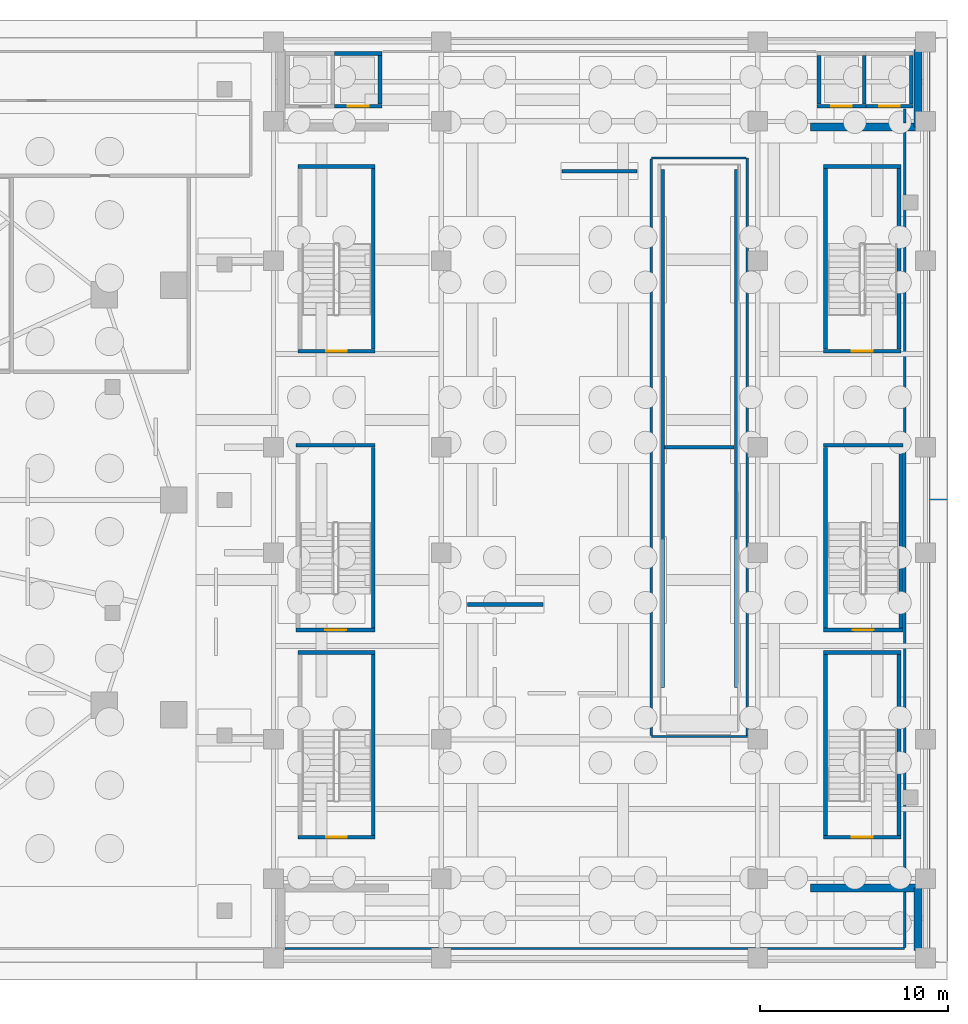
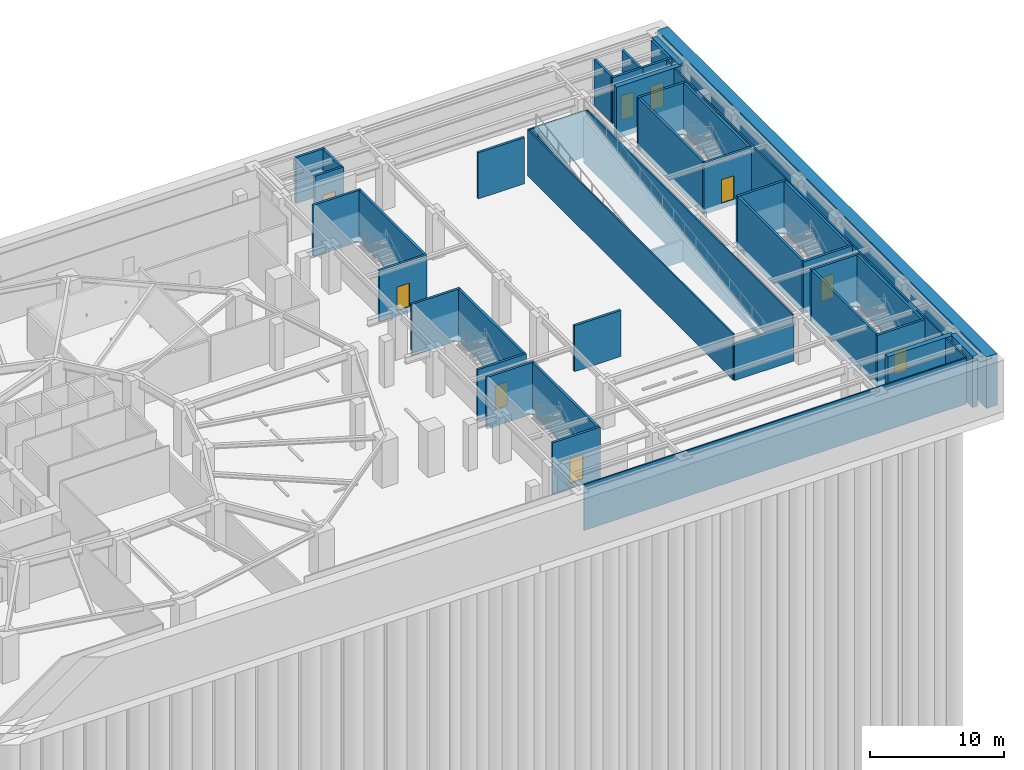
# One storey, part 11 of 19: 47 walls, 9 doors, 9 openings.
"""IFC4 building model written with IfcOpenShell, lengths in metres."""

import ifcopenshell
import ifcopenshell.guid

model = None  # the IFC model being written
_history = None  # IfcOwnerHistory: only IFC2X3 demands one
_inside = {}  # id of a spatial element -> (the spatial element, [elements in it])
_under = {}  # id of a project, library or spatial element -> (it, [spatial elements below it])
_declared = {}  # id of a project -> (the project, [libraries it declares])
_typed = {}  # id of a type object -> (the type object, [elements of that type])
_made_of = {}  # id of a material, layer set ... -> (it, [elements and type objects made of it])


def new_model(schema):
    """Start an empty IFC model of exactly this schema.

    Asked for "IFC4X3", IfcOpenShell would pick the latest addendum, in which some entities
    have other attributes; the version numbers below select the first issue.
    IFC2X3 requires an IfcOwnerHistory on every rooted entity: one is made here for all.
    """
    global model, _history
    if schema == "IFC4X3":
        model = ifcopenshell.file(schema_version=(4, 3, 0, 0))
    else:
        model = ifcopenshell.file(schema=schema)
    _inside.clear()
    _under.clear()
    _declared.clear()
    _typed.clear()
    _made_of.clear()
    _history = None
    if model.schema == "IFC2X3":
        org = make("IfcOrganization", Name="unknown")
        user = make(
            "IfcPersonAndOrganization",
            ThePerson=make("IfcPerson", FamilyName="unknown"),
            TheOrganization=org,
        )
        app = make(
            "IfcApplication",
            ApplicationDeveloper=org,
            Version="unknown",
            ApplicationFullName="unknown",
            ApplicationIdentifier="unknown",
        )
        _history = make(
            "IfcOwnerHistory",
            OwningUser=user,
            OwningApplication=app,
            ChangeAction="ADDED",
            CreationDate=0,
        )
    return model


def make(cls, **values):
    """One entity of the class cls with the attributes given. An attribute that is None is left unset."""
    return model.create_entity(
        cls, **{name: value for name, value in values.items() if value is not None}
    )


def rooted(cls, **values):
    """An entity with a GlobalId (a new one), such as an element, a storey or a relation."""
    return make(cls, GlobalId=ifcopenshell.guid.new(), OwnerHistory=_history, **values)


def si_unit(unit_type, name, prefix=None):
    """IfcSIUnit, for example si_unit("LENGTHUNIT", "METRE", prefix="MILLI")."""
    return make("IfcSIUnit", UnitType=unit_type, Prefix=prefix, Name=name)


def assignment(units):
    """IfcUnitAssignment: the units of a project."""
    return None if units is None else make("IfcUnitAssignment", Units=units)


def point(xyz):
    """IfcCartesianPoint."""
    return None if xyz is None else make("IfcCartesianPoint", Coordinates=xyz)


def direction(xyz):
    """IfcDirection."""
    return None if xyz is None else make("IfcDirection", DirectionRatios=xyz)


def frame(location, z_axis=None, x_axis=None):
    """IfcAxis2Placement3D, a coordinate frame: its origin and axes. An axis left out is left unset."""
    return make(
        "IfcAxis2Placement3D",
        Location=point(location),
        Axis=direction(z_axis),
        RefDirection=direction(x_axis),
    )


def frame_2d(location, x_axis=None):
    """IfcAxis2Placement2D, a coordinate frame in the plane: its origin and x axis."""
    return make(
        "IfcAxis2Placement2D", Location=point(location), RefDirection=direction(x_axis)
    )


def origin():
    """The frame at (0, 0, 0) with its axes left unset."""
    return frame((0.0, 0.0, 0.0))


def place(relative_to, where):
    """IfcLocalPlacement: puts the frame where relative to a parent placement (None: the world)."""
    return make(
        "IfcLocalPlacement", PlacementRelTo=relative_to, RelativePlacement=where
    )


def context(
    kind, dimensions, precision=None, world=None, true_north=None, identifier=None
):
    """IfcGeometricRepresentationContext, for example the 3D "Model" context."""
    return make(
        "IfcGeometricRepresentationContext",
        ContextIdentifier=identifier,
        ContextType=kind,
        CoordinateSpaceDimension=dimensions,
        Precision=precision,
        WorldCoordinateSystem=world,
        TrueNorth=true_north,
    )


def subcontext(parent, identifier, kind, view, scale=None):
    """IfcGeometricRepresentationSubContext, for example "Body" below "Model"."""
    return make(
        "IfcGeometricRepresentationSubContext",
        ContextIdentifier=identifier,
        ContextType=kind,
        ParentContext=parent,
        TargetScale=scale,
        TargetView=view,
    )


def project(units=None, contexts=None):
    """IfcProject with its units and contexts."""
    return rooted(
        "IfcProject",
        Name="project",
        RepresentationContexts=contexts,
        UnitsInContext=assignment(units),
    )


def spatial(cls, under=None, at=None, **own):
    """A site, building, storey or space (cls), placed at a placement, below another one or the project."""
    s = rooted(cls, ObjectPlacement=at, **own)
    if under is not None:
        _under.setdefault(under.id(), (under, []))[1].append(s)
    return s


def polyline(points):
    """IfcPolyline through the points."""
    return make("IfcPolyline", Points=[point(p) for p in points])


def profile(cls, at=None, kind="AREA", **sizes):
    """A parametric profile (cls). Its sizes go by their IFC names, for example OverallWidth=200.0."""
    return make(cls, ProfileType=kind, Position=at, **sizes)


def rectangle(**sizes):
    """IfcRectangleProfileDef."""
    return profile("IfcRectangleProfileDef", **sizes)


def outline(outer, holes=None, kind="AREA"):
    """IfcArbitraryClosedProfileDef: a profile drawn as a closed curve; with holes, ...WithVoids."""
    if holes is None:
        return make("IfcArbitraryClosedProfileDef", ProfileType=kind, OuterCurve=outer)
    return make(
        "IfcArbitraryProfileDefWithVoids",
        ProfileType=kind,
        OuterCurve=outer,
        InnerCurves=holes,
    )


def extrude(swept, where, along, depth):
    """IfcExtrudedAreaSolid: the profile swept, set in the frame where, extruded along a direction by depth."""
    return make(
        "IfcExtrudedAreaSolid",
        SweptArea=swept,
        Position=where,
        ExtrudedDirection=direction(along),
        Depth=depth,
    )


def shape(context_of_items, identifier, shape_type, items):
    """IfcShapeRepresentation: the items that make up one representation, for example the "Body"."""
    return make(
        "IfcShapeRepresentation",
        ContextOfItems=context_of_items,
        RepresentationIdentifier=identifier,
        RepresentationType=shape_type,
        Items=items,
    )


def material(Name=None, Category=None):
    """IfcMaterial."""
    return make("IfcMaterial", Name=Name, Category=Category)


def layer(
    of_material, thickness, ventilated=None, Name=None, Category=None, Priority=None
):
    """IfcMaterialLayer: one layer of a wall or slab, of a material (None: an air gap)."""
    return make(
        "IfcMaterialLayer",
        Material=of_material,
        LayerThickness=thickness,
        IsVentilated=ventilated,
        Name=Name,
        Category=Category,
        Priority=Priority,
    )


def layer_set(layers, Name=None):
    """IfcMaterialLayerSet."""
    return make("IfcMaterialLayerSet", MaterialLayers=layers, LayerSetName=Name)


def made_of(thing, what):
    """Note that an element or type object is made of a material, layer set ...; save() writes the relation."""
    if what is not None:
        _made_of.setdefault(what.id(), (what, []))[1].append(thing)
    return thing


def type_object(cls, material=None, **own):
    """A type object (cls), such as IfcWallType, which elements share."""
    return made_of(rooted(cls, **own), material)


def element(
    cls,
    number,
    at=None,
    inside=None,
    cuts=None,
    type_object=None,
    material=None,
    context=None,
    identifier="Body",
    shape_type=None,
    held_by="IfcProductDefinitionShape",
    body=None,
    shapes=None,
    **own,
):
    """One element of the class cls, such as IfcWall. Its Tag is "e" and its number.

    at: its placement. inside: the storey or other place that contains it. cuts: it is an
    opening in that element (IfcRelVoidsElement). A single representation is given by context,
    identifier, shape_type and body (its items); several are given by shapes. held_by: the class
    of the entity that holds the representations. save() writes the other relations.
    """
    e = rooted(cls, Tag="e%d" % number, ObjectPlacement=at, **own)
    if body is not None:
        shapes = [shape(context, identifier, shape_type, body)]
    if shapes is not None:
        e.Representation = make(held_by, Representations=shapes)
    if inside is not None:
        _inside.setdefault(inside.id(), (inside, []))[1].append(e)
    if cuts is not None:
        rooted(
            "IfcRelVoidsElement", RelatingBuildingElement=cuts, RelatedOpeningElement=e
        )
    if type_object is not None:
        _typed.setdefault(type_object.id(), (type_object, []))[1].append(e)
    return made_of(e, material)


def fill(opening, filler):
    """IfcRelFillsElement: the door or window that sits in an opening."""
    return rooted(
        "IfcRelFillsElement",
        RelatingOpeningElement=opening,
        RelatedBuildingElement=filler,
    )


def aggregate(whole, parts):
    """IfcRelAggregates: a whole, such as a stair, and the parts it consists of."""
    return rooted("IfcRelAggregates", RelatingObject=whole, RelatedObjects=parts)


def save(model, path):
    """Write the relations noted so far, then the file.

    IfcRelAggregates (storeys below a building ...), IfcRelContainedInSpatialStructure (elements
    in a storey), IfcRelDefinesByType, IfcRelAssociatesMaterial and IfcRelDeclares: one each for
    every whole, place, type object, material and project.
    """
    for whole, parts in _under.values():
        aggregate(whole, parts)
    for where, things in _inside.values():
        rooted(
            "IfcRelContainedInSpatialStructure",
            RelatedElements=things,
            RelatingStructure=where,
        )
    for kind, things in _typed.values():
        rooted("IfcRelDefinesByType", RelatedObjects=things, RelatingType=kind)
    for what, things in _made_of.values():
        rooted("IfcRelAssociatesMaterial", RelatedObjects=things, RelatingMaterial=what)
    for by, libraries in _declared.values():
        rooted("IfcRelDeclares", RelatingContext=by, RelatedDefinitions=libraries)
    model.write(path)


model = new_model("IFC4")

# Units and contexts
model_context = context("Model", 3, precision=1e-05, world=origin(), true_north=direction((0.0, 1.0)))
body_context = subcontext(model_context, "Body", "Model", "MODEL_VIEW")
ifc_project = project(units=[si_unit("LENGTHUNIT", "METRE"), si_unit("AREAUNIT", "SQUARE_METRE"), si_unit("VOLUMEUNIT", "CUBIC_METRE"), si_unit("PLANEANGLEUNIT", "RADIAN"), si_unit("MASSUNIT", "GRAM", prefix="KILO")], contexts=[model_context])

# Site, building, storey
site_placement = place(None, origin())
site = spatial("IfcSite", under=ifc_project, at=site_placement, CompositionType="ELEMENT")
building_placement = place(site_placement, origin())
building = spatial("IfcBuilding", under=site, at=building_placement, Name="Kolvaren Gate Tower and Convention Centre", CompositionType="ELEMENT")
storey_placement = place(building_placement, frame((0.0, 0.0, -13.5)))
storey = spatial("IfcBuildingStorey", under=building, at=storey_placement, Name="B3", CompositionType="ELEMENT", Elevation=-13.5)

# Walls
ifc_material_1 = material(Name="Fire-Rated Acoustic Gypsum Stud Partition", Category="gypsum")
ifc_layer_1 = layer(ifc_material_1, 0.1201171875)
ifc_layer_set_1 = layer_set([ifc_layer_1], Name="Fire-Rated Acoustic Gypsum Stud Partition")
wall_type_1 = type_object("IfcWallType", Name="ARCH-WL-PART-120", PredefinedType="PARTITIONING", material=ifc_layer_set_1)
wall_1_placement = place(storey_placement, frame((63.31201171875, 3.199951171875, 0.0), z_axis=(0.0, 0.0, 1.0), x_axis=(1.0, 0.0, 0.0)))
element("IfcWall", 1, at=wall_1_placement, inside=storey, type_object=wall_type_1, Name="Interior Partition WL-B3-INT-033 (2)", PredefinedType="PARTITIONING", context=body_context, shape_type="SweptSolid", body=[
    extrude(rectangle(XDim=32.887939453125, YDim=0.1201171875, at=frame_2d((16.44384765625, 0.0))), origin(), (0.0, 0.0, 1.0), 4.179931640625),
])
wall_2_placement = place(storey_placement, frame((96.199951171875, 3.261962890625, 0.0), z_axis=(0.0, 0.0, 1.0), x_axis=(0.0, 1.0, 0.0)))
element("IfcWall", 2, at=wall_2_placement, inside=storey, type_object=wall_type_1, Name="Interior Partition WL-B3-INT-037", PredefinedType="PARTITIONING", context=body_context, shape_type="SweptSolid", body=[
    extrude(rectangle(XDim=2.926025390625, YDim=0.1201171875, at=frame_2d((1.462890625, 0.0))), origin(), (0.0, 0.0, 1.0), 4.179931640625),
])
wall_3_placement = place(storey_placement, frame((96.199951171875, 6.612060546875, 0.0), z_axis=(0.0, 0.0, 1.0), x_axis=(0.0, 1.0, 0.0)))
element("IfcWall", 3, at=wall_3_placement, inside=storey, type_object=wall_type_1, Name="Interior Partition WL-B3-INT-037 (2)", PredefinedType="PARTITIONING", context=body_context, shape_type="SweptSolid", body=[
    extrude(rectangle(XDim=39.975830078125, YDim=0.1201171875, at=frame_2d((19.98779296875, 0.0))), origin(), (0.0, 0.0, 1.0), 4.179931640625),
])
wall_4_placement = place(storey_placement, frame((96.199951171875, 47.011962890625, 0.0), z_axis=(0.0, 0.0, 1.0), x_axis=(0.0, 1.0, 0.0)))
element("IfcWall", 4, at=wall_4_placement, inside=storey, type_object=wall_type_1, Name="Interior Partition WL-B3-INT-037 (3)", PredefinedType="PARTITIONING", context=body_context, shape_type="SweptSolid", body=[
    extrude(rectangle(XDim=0.738037109375, YDim=0.1201171875, at=frame_2d((0.369140625, 0.0))), origin(), (0.0, 0.0, 1.0), 4.179931640625),
])
wall_5_placement = place(storey_placement, frame((82.75, 14.449951171875, 0.0), z_axis=(0.0, 0.0, 1.0), x_axis=(1.0, 0.0, 0.0)))
element("IfcWall", 5, at=wall_5_placement, inside=storey, type_object=wall_type_1, Name="Interior Partition WL-B3-INT-038", PredefinedType="PARTITIONING", context=body_context, shape_type="SweptSolid", body=[
    extrude(rectangle(XDim=5.10009765625, YDim=0.1201171875, at=frame_2d((2.550048828125, 0.0))), origin(), (0.0, 0.0, 1.0), 3.4140625),
])
wall_6_placement = place(storey_placement, frame((87.85009765625, 14.511962890625, 0.0), z_axis=(0.0, 0.0, 1.0), x_axis=(0.0, 1.0, 0.0)))
element("IfcWall", 6, at=wall_6_placement, inside=storey, type_object=wall_type_1, Name="Interior Partition WL-B3-INT-039", PredefinedType="PARTITIONING", context=body_context, shape_type="SweptSolid", body=[
    extrude(rectangle(XDim=30.637939453125, YDim=0.1201171875, at=frame_2d((15.31884765625, 0.0))), origin(), (0.0, 0.0, 1.0), 4.179931640625),
])
wall_7_placement = place(storey_placement, frame((82.75, 45.14990234375, 0.0), z_axis=(0.0, 0.0, 1.0), x_axis=(1.0, 0.0, 0.0)))
element("IfcWall", 7, at=wall_7_placement, inside=storey, type_object=wall_type_1, Name="Interior Partition WL-B3-INT-040", PredefinedType="PARTITIONING", context=body_context, shape_type="SweptSolid", body=[
    extrude(rectangle(XDim=5.0380859375, YDim=0.1201171875, at=frame_2d((2.51904296875, 0.0))), origin(), (0.0, 0.0, 1.0), 4.179931640625),
])
wall_8_placement = place(storey_placement, frame((82.75, 14.511962890625, 0.0), z_axis=(0.0, 0.0, 1.0), x_axis=(0.0, 1.0, 0.0)))
element("IfcWall", 8, at=wall_8_placement, inside=storey, type_object=wall_type_1, Name="Interior Partition WL-B3-INT-041", PredefinedType="PARTITIONING", context=body_context, shape_type="SweptSolid", body=[
    extrude(rectangle(XDim=30.575927734375, YDim=0.1201171875, at=frame_2d((15.2880859375, 0.0))), origin(), (0.0, 0.0, 1.0), 4.179931640625),
])
ifc_material_2 = material(Name="Autoclaved Aerated Masonry Blockwork Class 4 (4.0 MPa)", Category="masonry")
ifc_layer_2 = layer(ifc_material_2, 0.199951171875)
ifc_layer_set_2 = layer_set([ifc_layer_2], Name="Autoclaved Aerated Masonry Blockwork Class 4 (4.0 MPa)")
wall_type_2 = type_object("IfcWallType", Name="ARCH-WL-SHAFT-200", PredefinedType="SOLIDWALL", material=ifc_layer_set_2)
wall_9_placement = place(storey_placement, frame((65.949951171875, 50.699951171875, 0.0), z_axis=(0.0, 0.0, 1.0), x_axis=(1.0, 0.0, 0.0)))
element("IfcWall", 9, at=wall_9_placement, inside=storey, type_object=wall_type_2, Name="Elevator CL-02 B3 Fire Shaft Wall N", PredefinedType="SOLIDWALL", context=body_context, shape_type="SweptSolid", body=[
    extrude(rectangle(XDim=2.5, YDim=0.199951171875, at=frame_2d((1.25, 0.0))), origin(), (0.0, 0.0, 1.0), 4.179931640625),
])

# Wall, opening, door
wall_10_placement = place(storey_placement, frame((65.949951171875, 47.89990234375, 0.0), z_axis=(0.0, 0.0, 1.0), x_axis=(1.0, 0.0, 0.0)))
wall_10 = element("IfcWall", 10, at=wall_10_placement, inside=storey, type_object=wall_type_2, Name="Elevator CL-02 B3 Fire Shaft Wall S", PredefinedType="SOLIDWALL", context=body_context, shape_type="SweptSolid", body=[
    extrude(rectangle(XDim=2.5, YDim=0.199951171875, at=frame_2d((1.25, 0.0))), origin(), (0.0, 0.0, 1.0), 4.179931640625),
])
opening_1_placement = place(wall_10_placement, frame((0.699951171875, 0.0, 0.0)))
opening_1 = element("IfcOpeningElement", 11, at=opening_1_placement, cuts=wall_10, Name="Opening LD", PredefinedType="OPENING", context=body_context, shape_type="SweptSolid", body=[
    extrude(rectangle(XDim=1.10009765625, YDim=2.199951171875, at=frame_2d((0.550048828125, 1.10009765625))), frame((0.0, 0.10986328125, 0.0), z_axis=(0.0, -1.0, 0.0), x_axis=(1.0, 0.0, 0.0)), (0.0, 0.0, 1.0), 0.219970703125),
])
ifc_material_3 = material(Name="Brushed Stainless Steel Grade 316L", Category="steel")
door_type_1 = type_object("IfcDoorType", Name="ARCH-DR-LIFT-1100", OperationType="SLIDING_TO_LEFT", PredefinedType="DOOR", material=ifc_material_3)
door_1_placement = place(opening_1_placement, origin())
door_1 = element("IfcDoor", 12, at=door_1_placement, inside=storey, type_object=door_type_1, Name="Elevator CL-02 B3 Sliding Landing Door", OperationType="SLIDING_TO_LEFT", OverallHeight=2.199951171875, OverallWidth=1.10009765625, PredefinedType="DOOR", context=body_context, shape_type="SweptSolid", body=[
    extrude(rectangle(XDim=1.10009765625, YDim=2.199951171875, at=frame_2d((0.550048828125, 1.10009765625))), frame((0.0, 0.02490234375, 0.0), z_axis=(0.0, -1.0, 0.0), x_axis=(1.0, 0.0, 0.0)), (0.0, 0.0, 1.0), 0.050048828125),
])
fill(opening_1, door_1)

# Wall
wall_11_placement = place(storey_placement, frame((68.35009765625, 48.010009765625, 0.0), z_axis=(0.0, 0.0, 1.0), x_axis=(0.0, 1.0, 0.0)))
element("IfcWall", 13, at=wall_11_placement, inside=storey, type_object=wall_type_2, Name="Elevator CL-02 B3 Fire Shaft Wall E", PredefinedType="SOLIDWALL", context=body_context, shape_type="SweptSolid", body=[
    extrude(rectangle(XDim=2.580078125, YDim=0.199951171875, at=frame_2d((1.2900390625, 0.0))), origin(), (0.0, 0.0, 1.0), 4.179931640625),
])

# Wall, opening, door
wall_12_placement = place(storey_placement, frame((91.550048828125, 47.89990234375, 0.0), z_axis=(0.0, 0.0, 1.0), x_axis=(1.0, 0.0, 0.0)))
wall_12 = element("IfcWall", 14, at=wall_12_placement, inside=storey, type_object=wall_type_2, Name="Elevator CL-03 B3 Fire Shaft Wall S", PredefinedType="SOLIDWALL", context=body_context, shape_type="SweptSolid", body=[
    extrude(rectangle(XDim=2.599853515625, YDim=0.199951171875, at=frame_2d((1.2998046875, 0.0))), origin(), (0.0, 0.0, 1.0), 4.179931640625),
])
opening_2_placement = place(wall_12_placement, frame((0.75, 0.0, 0.0)))
opening_2 = element("IfcOpeningElement", 15, at=opening_2_placement, cuts=wall_12, Name="Opening LD", PredefinedType="OPENING", context=body_context, shape_type="SweptSolid", body=[
    extrude(rectangle(XDim=1.10009765625, YDim=2.199951171875, at=frame_2d((0.550048828125, 1.10009765625))), frame((0.0, 0.10986328125, 0.0), z_axis=(0.0, -1.0, 0.0), x_axis=(1.0, 0.0, 0.0)), (0.0, 0.0, 1.0), 0.219970703125),
])
door_2_placement = place(opening_2_placement, origin())
door_2 = element("IfcDoor", 16, at=door_2_placement, inside=storey, type_object=door_type_1, Name="Elevator CL-03 B3 Sliding Landing Door", OperationType="SLIDING_TO_LEFT", OverallHeight=2.199951171875, OverallWidth=1.10009765625, PredefinedType="DOOR", context=body_context, shape_type="SweptSolid", body=[
    extrude(rectangle(XDim=1.10009765625, YDim=2.199951171875, at=frame_2d((0.550048828125, 1.10009765625))), frame((0.0, 0.02490234375, 0.0), z_axis=(0.0, -1.0, 0.0), x_axis=(1.0, 0.0, 0.0)), (0.0, 0.0, 1.0), 0.050048828125),
])
fill(opening_2, door_2)

# Walls
for number, where, z_axis, x_axis, name in (
    (17, (91.64990234375, 48.010009765625, 0.0), (0.0, 0.0, 1.0), (0.0, 1.0, 0.0), "Elevator CL-03 B3 Fire Shaft Wall W"),
    (18, (94.050048828125, 48.010009765625, 0.0), (0.0, 0.0, 1.0), (0.0, 1.0, 0.0), "Elevator CL-03 B3 Fire Shaft Wall E"),
):
    element("IfcWall", number, at=place(storey_placement, frame(where, z_axis=z_axis, x_axis=x_axis)), inside=storey, type_object=wall_type_2, Name=name, PredefinedType="SOLIDWALL", context=body_context, shape_type="SweptSolid", body=[
        extrude(rectangle(XDim=2.580078125, YDim=0.199951171875, at=frame_2d((1.2900390625, 0.0))), origin(), (0.0, 0.0, 1.0), 4.179931640625),
    ])

# Wall, opening, door
wall_13_placement = place(storey_placement, frame((94.14990234375, 47.89990234375, 0.0), z_axis=(0.0, 0.0, 1.0), x_axis=(1.0, 0.0, 0.0)))
wall_13 = element("IfcWall", 19, at=wall_13_placement, inside=storey, type_object=wall_type_2, Name="Elevator CL-04 B3 Fire Shaft Wall S", PredefinedType="SOLIDWALL", context=body_context, shape_type="SweptSolid", body=[
    extrude(rectangle(XDim=2.5, YDim=0.199951171875, at=frame_2d((1.25, 0.0))), origin(), (0.0, 0.0, 1.0), 4.179931640625),
])
opening_3_placement = place(wall_13_placement, frame((0.699951171875, 0.0, 0.0)))
opening_3 = element("IfcOpeningElement", 20, at=opening_3_placement, cuts=wall_13, Name="Opening LD", PredefinedType="OPENING", context=body_context, shape_type="SweptSolid", body=[
    extrude(rectangle(XDim=1.10009765625, YDim=2.199951171875, at=frame_2d((0.550048828125, 1.10009765625))), frame((0.0, 0.10986328125, 0.0), z_axis=(0.0, -1.0, 0.0), x_axis=(1.0, 0.0, 0.0)), (0.0, 0.0, 1.0), 0.219970703125),
])
door_3_placement = place(opening_3_placement, origin())
door_3 = element("IfcDoor", 21, at=door_3_placement, inside=storey, type_object=door_type_1, Name="Elevator CL-04 B3 Sliding Landing Door", OperationType="SLIDING_TO_LEFT", OverallHeight=2.199951171875, OverallWidth=1.10009765625, PredefinedType="DOOR", context=body_context, shape_type="SweptSolid", body=[
    extrude(rectangle(XDim=1.10009765625, YDim=2.199951171875, at=frame_2d((0.550048828125, 1.10009765625))), frame((0.0, 0.02490234375, 0.0), z_axis=(0.0, -1.0, 0.0), x_axis=(1.0, 0.0, 0.0)), (0.0, 0.0, 1.0), 0.050048828125),
])
fill(opening_3, door_3)

# Walls
wall_14_placement = place(storey_placement, frame((96.550048828125, 48.010009765625, 0.0), z_axis=(0.0, 0.0, 1.0), x_axis=(0.0, 1.0, 0.0)))
element("IfcWall", 22, at=wall_14_placement, inside=storey, type_object=wall_type_2, Name="Elevator CL-04 B3 Fire Shaft Wall E", PredefinedType="SOLIDWALL", context=body_context, shape_type="SweptSolid", body=[
    extrude(rectangle(XDim=2.580078125, YDim=0.199951171875, at=frame_2d((1.2900390625, 0.0))), origin(), (0.0, 0.0, 1.0), 4.179931640625),
])
ifc_material_4 = material(Name="Concrete C50/60", Category="concrete")
ifc_layer_3 = layer(ifc_material_4, 0.419921875)
ifc_layer_set_3 = layer_set([ifc_layer_3], Name="Concrete C50/60")
wall_type_3 = type_object("IfcWallType", Name="STR-WL-CONV-420", PredefinedType="SHEAR", material=ifc_layer_set_3)
wall_15_placement = place(storey_placement, frame((96.89990234375, 46.800048828125, -0.5), z_axis=(0.0, 0.0, 1.0), x_axis=(0.0, 1.0, 0.0)))
element("IfcWall", 23, at=wall_15_placement, inside=storey, type_object=wall_type_3, Name="Convention B3 Shear Core Wall CCNE-E", PredefinedType="SHEAR", context=body_context, shape_type="SweptSolid", body=[
    extrude(rectangle(XDim=4.099853515625, YDim=0.419921875, at=frame_2d((2.0498046875, 0.0))), origin(), (0.0, 0.0, 1.0), 4.679931640625),
])
wall_16_placement = place(storey_placement, frame((91.199951171875, 46.800048828125, -0.5), z_axis=(0.0, 0.0, 1.0), x_axis=(1.0, 0.0, 0.0)))
element("IfcWall", 24, at=wall_16_placement, inside=storey, type_object=wall_type_3, Name="Convention B3 Shear Core Wall CCNE-S", PredefinedType="SHEAR", context=body_context, shape_type="SweptSolid", body=[
    extrude(rectangle(XDim=5.699951171875, YDim=0.419921875, at=frame_2d((2.85009765625, 0.0))), origin(), (0.0, 0.0, 1.0), 4.679931640625),
])
wall_17_placement = place(storey_placement, frame((96.89990234375, 3.10009765625, -0.5), z_axis=(0.0, 0.0, 1.0), x_axis=(0.0, 1.0, 0.0)))
element("IfcWall", 25, at=wall_17_placement, inside=storey, type_object=wall_type_3, Name="Convention B3 Shear Core Wall CCSE-E", PredefinedType="SHEAR", context=body_context, shape_type="SweptSolid", body=[
    extrude(rectangle(XDim=3.2998046875, YDim=0.419921875, at=frame_2d((1.64990234375, 0.0))), origin(), (0.0, 0.0, 1.0), 4.679931640625),
])
wall_18_placement = place(storey_placement, frame((91.199951171875, 6.39990234375, -0.5), z_axis=(0.0, 0.0, 1.0), x_axis=(1.0, 0.0, 0.0)))
element("IfcWall", 26, at=wall_18_placement, inside=storey, type_object=wall_type_3, Name="Convention B3 Shear Core Wall CCSE-N", PredefinedType="SHEAR", context=body_context, shape_type="SweptSolid", body=[
    extrude(rectangle(XDim=5.699951171875, YDim=0.419921875, at=frame_2d((2.85009765625, 0.0))), origin(), (0.0, 0.0, 1.0), 4.679931640625),
])
ifc_layer_4 = layer(ifc_material_4, 0.949951171875)
ifc_layer_set_4 = layer_set([ifc_layer_4], Name="Concrete C50/60")
wall_type_4 = type_object("IfcWallType", Name="STR-WL-DIAPH-950", PredefinedType="USERDEFINED", material=ifc_layer_set_4)
wall_19_placement = place(storey_placement, frame((98.0, 2.4951171875, -0.5), z_axis=(0.0, 0.0, 1.0), x_axis=(0.0, 1.0, 0.0)))
element("IfcWall", 27, at=wall_19_placement, inside=storey, type_object=wall_type_4, Name="Basement B3 E Perimeter Diaphragm Wall", ObjectType="RETAINING WALL", PredefinedType="USERDEFINED", context=body_context, shape_type="SweptSolid", body=[
    extrude(rectangle(XDim=49.009765625, YDim=0.949951171875, at=frame_2d((24.5048828125, 0.0))), origin(), (0.0, 0.0, 1.0), 4.679931640625),
])
ifc_layer_5 = layer(ifc_material_4, 0.199951171875)
ifc_layer_set_5 = layer_set([ifc_layer_5], Name="Concrete C50/60")
wall_type_5 = type_object("IfcWallType", Name="STR-WL-SHAFT-200", PredefinedType="SHEAR", material=ifc_layer_set_5)
wall_20_placement = place(storey_placement, frame((73.0, 21.449951171875, 0.0), z_axis=(0.0, 0.0, 1.0), x_axis=(1.0, 0.0, 0.0)))
element("IfcWall", 28, at=wall_20_placement, inside=storey, type_object=wall_type_5, Name="Vehicle Ramp VR-01 B3 Bearing Support Wall", PredefinedType="SHEAR", context=body_context, shape_type="SweptSolid", body=[
    extrude(rectangle(XDim=4.0, YDim=0.199951171875, at=frame_2d((2.0, 0.0))), origin(), (0.0, 0.0, 1.0), 4.179931640625),
])
wall_21_placement = place(storey_placement, frame((78.0, 44.449951171875, 0.0), z_axis=(0.0, 0.0, 1.0), x_axis=(1.0, 0.0, 0.0)))
element("IfcWall", 29, at=wall_21_placement, inside=storey, type_object=wall_type_5, Name="Vehicle Ramp VR-02 B3 Bearing Support Wall", PredefinedType="SHEAR", context=body_context, shape_type="SweptSolid", body=[
    extrude(rectangle(XDim=4.0, YDim=0.199951171875, at=frame_2d((2.0, 0.0))), origin(), (0.0, 0.0, 1.0), 4.195068359375),
])
for number, where, z_axis, x_axis, name in (
    (30, (83.340087890625, 17.050048828125, 0.0), (0.0, 0.0, 1.0), (0.0, 1.0, 0.0), "Vehicle Ramp VR-03 Sloped RC Cheek Support Wall W"),
    (31, (87.260009765625, 17.050048828125, 0.0), (0.0, 0.0, 1.0), (0.0, 1.0, 0.0), "Vehicle Ramp VR-03 Sloped RC Cheek Support Wall E"),
):
    element("IfcWall", number, at=place(storey_placement, frame(where, z_axis=z_axis, x_axis=x_axis)), inside=storey, type_object=wall_type_5, Name=name, PredefinedType="SHEAR", context=body_context, shape_type="SweptSolid", body=[
        extrude(outline(polyline([(0.0, 0.0), (27.5, 0.0), (27.5, 4.150390625), (0.0, 0.025390625), (0.0, 0.0)])), frame((0.0, 0.10009765625, 0.0), z_axis=(0.0, -1.0, 0.0), x_axis=(1.0, 0.0, 0.0)), (0.0, 0.0, 1.0), 0.199951171875),
    ])
wall_22_placement = place(storey_placement, frame((83.449951171875, 29.800048828125, 0.0), z_axis=(0.0, 0.0, 1.0), x_axis=(1.0, 0.0, 0.0)))
element("IfcWall", 32, at=wall_22_placement, inside=storey, type_object=wall_type_5, Name="Vehicle Ramp VR-03 Mid-Span RC Pier Wall", PredefinedType="SHEAR", context=body_context, shape_type="SweptSolid", body=[
    extrude(rectangle(XDim=3.699951171875, YDim=0.199951171875, at=frame_2d((1.85009765625, 0.0))), origin(), (0.0, 0.0, 1.0), 1.93505859375),
])

# Wall, opening, door
wall_23_placement = place(storey_placement, frame((64.0, 34.89990234375, -0.5), z_axis=(0.0, 0.0, 1.0), x_axis=(1.0, 0.0, 0.0)))
wall_23 = element("IfcWall", 33, at=wall_23_placement, inside=storey, type_object=wall_type_5, Name="Convention NW Exit Stair ST-C1 B3 Structural Shear Enclosure Wall NEAR", PredefinedType="SHEAR", context=body_context, shape_type="SweptSolid", body=[
    extrude(rectangle(XDim=4.10009765625, YDim=0.199951171875, at=frame_2d((2.050048828125, 0.0))), origin(), (0.0, 0.0, 1.0), 4.679931640625),
])
opening_4_placement = place(wall_23_placement, frame((1.5, 0.0, 0.5)))
opening_4 = element("IfcOpeningElement", 34, at=opening_4_placement, cuts=wall_23, Name="Opening DS-01", PredefinedType="OPENING", context=body_context, shape_type="SweptSolid", body=[
    extrude(rectangle(XDim=1.10009765625, YDim=2.14990234375, at=frame_2d((0.550048828125, 1.074951171875))), frame((0.0, 0.10986328125, 0.0), z_axis=(0.0, -1.0, 0.0), x_axis=(1.0, 0.0, 0.0)), (0.0, 0.0, 1.0), 0.219970703125),
])
ifc_material_5 = material(Name="Painted Architectural Steelwork ASTM A500 Grade C 345 MPa", Category="steel")
door_type_2 = type_object("IfcDoorType", Name="ARCH-DR-STAIR-1100", OperationType="SINGLE_SWING_LEFT", PredefinedType="DOOR", material=ifc_material_5)
door_4_placement = place(opening_4_placement, origin())
door_4 = element("IfcDoor", 35, at=door_4_placement, inside=storey, type_object=door_type_2, Name="Convention NW Exit Stair ST-C1 B3 Fire Exit Stair Door", OperationType="SINGLE_SWING_LEFT", OverallHeight=2.14990234375, OverallWidth=1.10009765625, PredefinedType="DOOR", context=body_context, shape_type="SweptSolid", body=[
    extrude(rectangle(XDim=1.10009765625, YDim=2.14990234375, at=frame_2d((0.550048828125, 1.074951171875))), frame((0.0, 0.02490234375, 0.0), z_axis=(0.0, -1.0, 0.0), x_axis=(1.0, 0.0, 0.0)), (0.0, 0.0, 1.0), 0.050048828125),
])
fill(opening_4, door_4)

# Walls
wall_24_placement = place(storey_placement, frame((64.0, 44.699951171875, -0.5), z_axis=(0.0, 0.0, 1.0), x_axis=(1.0, 0.0, 0.0)))
element("IfcWall", 36, at=wall_24_placement, inside=storey, type_object=wall_type_5, Name="Convention NW Exit Stair ST-C1 B3 Structural Shear Enclosure Wall FAR", PredefinedType="SHEAR", context=body_context, shape_type="SweptSolid", body=[
    extrude(rectangle(XDim=4.10009765625, YDim=0.199951171875, at=frame_2d((2.050048828125, 0.0))), origin(), (0.0, 0.0, 1.0), 4.679931640625),
])
wall_25_placement = place(storey_placement, frame((68.0, 35.001953125, -0.5), z_axis=(0.0, 0.0, 1.0), x_axis=(0.0, 1.0, 0.0)))
element("IfcWall", 37, at=wall_25_placement, inside=storey, type_object=wall_type_5, Name="Convention NW Exit Stair ST-C1 B3 Structural Shear Enclosure Wall EAST", PredefinedType="SHEAR", context=body_context, shape_type="SweptSolid", body=[
    extrude(rectangle(XDim=9.595947265625, YDim=0.199951171875, at=frame_2d((4.7978515625, 0.0))), origin(), (0.0, 0.0, 1.0), 4.679931640625),
])

# Wall, opening, door
wall_26_placement = place(storey_placement, frame((64.0, 9.10009765625, -0.5), z_axis=(0.0, 0.0, 1.0), x_axis=(1.0, 0.0, 0.0)))
wall_26 = element("IfcWall", 38, at=wall_26_placement, inside=storey, type_object=wall_type_5, Name="Convention SW Exit Stair ST-C2 B3 Structural Shear Enclosure Wall NEAR", PredefinedType="SHEAR", context=body_context, shape_type="SweptSolid", body=[
    extrude(rectangle(XDim=4.10009765625, YDim=0.199951171875, at=frame_2d((2.050048828125, 0.0))), origin(), (0.0, 0.0, 1.0), 4.679931640625),
])
opening_5_placement = place(wall_26_placement, frame((1.5, 0.0, 0.5)))
opening_5 = element("IfcOpeningElement", 39, at=opening_5_placement, cuts=wall_26, Name="Opening DS-01", PredefinedType="OPENING", context=body_context, shape_type="SweptSolid", body=[
    extrude(rectangle(XDim=1.10009765625, YDim=2.14990234375, at=frame_2d((0.550048828125, 1.074951171875))), frame((0.0, 0.10986328125, 0.0), z_axis=(0.0, -1.0, 0.0), x_axis=(1.0, 0.0, 0.0)), (0.0, 0.0, 1.0), 0.219970703125),
])
door_5_placement = place(opening_5_placement, origin())
door_5 = element("IfcDoor", 40, at=door_5_placement, inside=storey, type_object=door_type_2, Name="Convention SW Exit Stair ST-C2 B3 Fire Exit Stair Door", OperationType="SINGLE_SWING_LEFT", OverallHeight=2.14990234375, OverallWidth=1.10009765625, PredefinedType="DOOR", context=body_context, shape_type="SweptSolid", body=[
    extrude(rectangle(XDim=1.10009765625, YDim=2.14990234375, at=frame_2d((0.550048828125, 1.074951171875))), frame((0.0, 0.02490234375, 0.0), z_axis=(0.0, -1.0, 0.0), x_axis=(1.0, 0.0, 0.0)), (0.0, 0.0, 1.0), 0.050048828125),
])
fill(opening_5, door_5)

# Walls
wall_27_placement = place(storey_placement, frame((64.0, 18.89990234375, -0.5), z_axis=(0.0, 0.0, 1.0), x_axis=(1.0, 0.0, 0.0)))
element("IfcWall", 41, at=wall_27_placement, inside=storey, type_object=wall_type_5, Name="Convention SW Exit Stair ST-C2 B3 Structural Shear Enclosure Wall FAR", PredefinedType="SHEAR", context=body_context, shape_type="SweptSolid", body=[
    extrude(rectangle(XDim=4.10009765625, YDim=0.199951171875, at=frame_2d((2.050048828125, 0.0))), origin(), (0.0, 0.0, 1.0), 4.679931640625),
])
wall_28_placement = place(storey_placement, frame((68.0, 9.201904296875, -0.5), z_axis=(0.0, 0.0, 1.0), x_axis=(0.0, 1.0, 0.0)))
element("IfcWall", 42, at=wall_28_placement, inside=storey, type_object=wall_type_5, Name="Convention SW Exit Stair ST-C2 B3 Structural Shear Enclosure Wall EAST", PredefinedType="SHEAR", context=body_context, shape_type="SweptSolid", body=[
    extrude(rectangle(XDim=9.59619140625, YDim=0.199951171875, at=frame_2d((4.798095703125, 0.0))), origin(), (0.0, 0.0, 1.0), 4.679931640625),
])

# Wall, opening, door
wall_29_placement = place(storey_placement, frame((91.89990234375, 34.89990234375, -0.5), z_axis=(0.0, 0.0, 1.0), x_axis=(1.0, 0.0, 0.0)))
wall_29 = element("IfcWall", 43, at=wall_29_placement, inside=storey, type_object=wall_type_5, Name="Convention NE Exit Stair ST-C3 B3 Structural Shear Enclosure Wall NEAR", PredefinedType="SHEAR", context=body_context, shape_type="SweptSolid", body=[
    extrude(rectangle(XDim=4.10009765625, YDim=0.199951171875, at=frame_2d((2.050048828125, 0.0))), origin(), (0.0, 0.0, 1.0), 4.679931640625),
])
opening_6_placement = place(wall_29_placement, frame((1.5, 0.0, 0.5)))
opening_6 = element("IfcOpeningElement", 44, at=opening_6_placement, cuts=wall_29, Name="Opening DS-01", PredefinedType="OPENING", context=body_context, shape_type="SweptSolid", body=[
    extrude(rectangle(XDim=1.10009765625, YDim=2.14990234375, at=frame_2d((0.550048828125, 1.074951171875))), frame((0.0, 0.10986328125, 0.0), z_axis=(0.0, -1.0, 0.0), x_axis=(1.0, 0.0, 0.0)), (0.0, 0.0, 1.0), 0.219970703125),
])
door_6_placement = place(opening_6_placement, origin())
door_6 = element("IfcDoor", 45, at=door_6_placement, inside=storey, type_object=door_type_2, Name="Convention NE Exit Stair ST-C3 B3 Fire Exit Stair Door", OperationType="SINGLE_SWING_LEFT", OverallHeight=2.14990234375, OverallWidth=1.10009765625, PredefinedType="DOOR", context=body_context, shape_type="SweptSolid", body=[
    extrude(rectangle(XDim=1.10009765625, YDim=2.14990234375, at=frame_2d((0.550048828125, 1.074951171875))), frame((0.0, 0.02490234375, 0.0), z_axis=(0.0, -1.0, 0.0), x_axis=(1.0, 0.0, 0.0)), (0.0, 0.0, 1.0), 0.050048828125),
])
fill(opening_6, door_6)

# Walls
wall_30_placement = place(storey_placement, frame((91.89990234375, 44.699951171875, -0.5), z_axis=(0.0, 0.0, 1.0), x_axis=(1.0, 0.0, 0.0)))
element("IfcWall", 46, at=wall_30_placement, inside=storey, type_object=wall_type_5, Name="Convention NE Exit Stair ST-C3 B3 Structural Shear Enclosure Wall FAR", PredefinedType="SHEAR", context=body_context, shape_type="SweptSolid", body=[
    extrude(rectangle(XDim=4.10009765625, YDim=0.199951171875, at=frame_2d((2.050048828125, 0.0))), origin(), (0.0, 0.0, 1.0), 4.679931640625),
])
for number, where, z_axis, x_axis, name in (
    (47, (92.0, 35.001953125, -0.5), (0.0, 0.0, 1.0), (0.0, 1.0, 0.0), "Convention NE Exit Stair ST-C3 B3 Structural Shear Enclosure Wall WEST"),
    (48, (95.89990234375, 35.001953125, -0.5), (0.0, 0.0, 1.0), (0.0, 1.0, 0.0), "Convention NE Exit Stair ST-C3 B3 Structural Shear Enclosure Wall EAST"),
):
    element("IfcWall", number, at=place(storey_placement, frame(where, z_axis=z_axis, x_axis=x_axis)), inside=storey, type_object=wall_type_5, Name=name, PredefinedType="SHEAR", context=body_context, shape_type="SweptSolid", body=[
        extrude(rectangle(XDim=9.595947265625, YDim=0.199951171875, at=frame_2d((4.7978515625, 0.0))), origin(), (0.0, 0.0, 1.0), 4.679931640625),
    ])

# Wall, opening, door
wall_31_placement = place(storey_placement, frame((91.89990234375, 9.10009765625, -0.5), z_axis=(0.0, 0.0, 1.0), x_axis=(1.0, 0.0, 0.0)))
wall_31 = element("IfcWall", 49, at=wall_31_placement, inside=storey, type_object=wall_type_5, Name="Convention SE Exit Stair ST-C4 B3 Structural Shear Enclosure Wall NEAR", PredefinedType="SHEAR", context=body_context, shape_type="SweptSolid", body=[
    extrude(rectangle(XDim=4.10009765625, YDim=0.199951171875, at=frame_2d((2.050048828125, 0.0))), origin(), (0.0, 0.0, 1.0), 4.679931640625),
])
opening_7_placement = place(wall_31_placement, frame((1.5, 0.0, 0.5)))
opening_7 = element("IfcOpeningElement", 50, at=opening_7_placement, cuts=wall_31, Name="Opening DS-01", PredefinedType="OPENING", context=body_context, shape_type="SweptSolid", body=[
    extrude(rectangle(XDim=1.10009765625, YDim=2.14990234375, at=frame_2d((0.550048828125, 1.074951171875))), frame((0.0, 0.10986328125, 0.0), z_axis=(0.0, -1.0, 0.0), x_axis=(1.0, 0.0, 0.0)), (0.0, 0.0, 1.0), 0.219970703125),
])
door_7_placement = place(opening_7_placement, origin())
door_7 = element("IfcDoor", 51, at=door_7_placement, inside=storey, type_object=door_type_2, Name="Convention SE Exit Stair ST-C4 B3 Fire Exit Stair Door", OperationType="SINGLE_SWING_LEFT", OverallHeight=2.14990234375, OverallWidth=1.10009765625, PredefinedType="DOOR", context=body_context, shape_type="SweptSolid", body=[
    extrude(rectangle(XDim=1.10009765625, YDim=2.14990234375, at=frame_2d((0.550048828125, 1.074951171875))), frame((0.0, 0.02490234375, 0.0), z_axis=(0.0, -1.0, 0.0), x_axis=(1.0, 0.0, 0.0)), (0.0, 0.0, 1.0), 0.050048828125),
])
fill(opening_7, door_7)

# Walls
wall_32_placement = place(storey_placement, frame((91.89990234375, 18.89990234375, -0.5), z_axis=(0.0, 0.0, 1.0), x_axis=(1.0, 0.0, 0.0)))
element("IfcWall", 52, at=wall_32_placement, inside=storey, type_object=wall_type_5, Name="Convention SE Exit Stair ST-C4 B3 Structural Shear Enclosure Wall FAR", PredefinedType="SHEAR", context=body_context, shape_type="SweptSolid", body=[
    extrude(rectangle(XDim=4.10009765625, YDim=0.199951171875, at=frame_2d((2.050048828125, 0.0))), origin(), (0.0, 0.0, 1.0), 4.679931640625),
])
for number, where, z_axis, x_axis, name in (
    (53, (92.0, 9.201904296875, -0.5), (0.0, 0.0, 1.0), (0.0, 1.0, 0.0), "Convention SE Exit Stair ST-C4 B3 Structural Shear Enclosure Wall WEST"),
    (54, (95.89990234375, 9.201904296875, -0.5), (0.0, 0.0, 1.0), (0.0, 1.0, 0.0), "Convention SE Exit Stair ST-C4 B3 Structural Shear Enclosure Wall EAST"),
):
    element("IfcWall", number, at=place(storey_placement, frame(where, z_axis=z_axis, x_axis=x_axis)), inside=storey, type_object=wall_type_5, Name=name, PredefinedType="SHEAR", context=body_context, shape_type="SweptSolid", body=[
        extrude(rectangle(XDim=9.59619140625, YDim=0.199951171875, at=frame_2d((4.798095703125, 0.0))), origin(), (0.0, 0.0, 1.0), 4.679931640625),
    ])

# Wall, opening, door
wall_33_placement = place(storey_placement, frame((63.89990234375, 20.10009765625, -0.5), z_axis=(0.0, 0.0, 1.0), x_axis=(1.0, 0.0, 0.0)))
wall_33 = element("IfcWall", 55, at=wall_33_placement, inside=storey, type_object=wall_type_5, Name="Convention West Assembly Stair ST-C5 B3 Structural Shear Enclosure Wall NEAR", PredefinedType="SHEAR", context=body_context, shape_type="SweptSolid", body=[
    extrude(rectangle(XDim=4.2001953125, YDim=0.199951171875, at=frame_2d((2.10009765625, 0.0))), origin(), (0.0, 0.0, 1.0), 4.679931640625),
])
opening_8_placement = place(wall_33_placement, frame((1.550048828125, 0.0, 0.5)))
opening_8 = element("IfcOpeningElement", 56, at=opening_8_placement, cuts=wall_33, Name="Opening DS-01", PredefinedType="OPENING", context=body_context, shape_type="SweptSolid", body=[
    extrude(rectangle(XDim=1.10009765625, YDim=2.14990234375, at=frame_2d((0.550048828125, 1.074951171875))), frame((0.0, 0.10986328125, 0.0), z_axis=(0.0, -1.0, 0.0), x_axis=(1.0, 0.0, 0.0)), (0.0, 0.0, 1.0), 0.219970703125),
])
door_8_placement = place(opening_8_placement, origin())
door_8 = element("IfcDoor", 57, at=door_8_placement, inside=storey, type_object=door_type_2, Name="Convention West Assembly Stair ST-C5 B3 Fire Exit Stair Door", OperationType="SINGLE_SWING_LEFT", OverallHeight=2.14990234375, OverallWidth=1.10009765625, PredefinedType="DOOR", context=body_context, shape_type="SweptSolid", body=[
    extrude(rectangle(XDim=1.10009765625, YDim=2.14990234375, at=frame_2d((0.550048828125, 1.074951171875))), frame((0.0, 0.02490234375, 0.0), z_axis=(0.0, -1.0, 0.0), x_axis=(1.0, 0.0, 0.0)), (0.0, 0.0, 1.0), 0.050048828125),
])
fill(opening_8, door_8)

# Walls
wall_34_placement = place(storey_placement, frame((63.89990234375, 29.89990234375, -0.5), z_axis=(0.0, 0.0, 1.0), x_axis=(1.0, 0.0, 0.0)))
element("IfcWall", 58, at=wall_34_placement, inside=storey, type_object=wall_type_5, Name="Convention West Assembly Stair ST-C5 B3 Structural Shear Enclosure Wall FAR", PredefinedType="SHEAR", context=body_context, shape_type="SweptSolid", body=[
    extrude(rectangle(XDim=4.2001953125, YDim=0.199951171875, at=frame_2d((2.10009765625, 0.0))), origin(), (0.0, 0.0, 1.0), 4.679931640625),
])
wall_35_placement = place(storey_placement, frame((68.0, 20.201904296875, -0.5), z_axis=(0.0, 0.0, 1.0), x_axis=(0.0, 1.0, 0.0)))
element("IfcWall", 59, at=wall_35_placement, inside=storey, type_object=wall_type_5, Name="Convention West Assembly Stair ST-C5 B3 Structural Shear Enclosure Wall EAST", PredefinedType="SHEAR", context=body_context, shape_type="SweptSolid", body=[
    extrude(rectangle(XDim=9.59619140625, YDim=0.199951171875, at=frame_2d((4.798095703125, 0.0))), origin(), (0.0, 0.0, 1.0), 4.679931640625),
])

# Wall, opening, door
wall_36_placement = place(storey_placement, frame((91.89990234375, 20.10009765625, -0.5), z_axis=(0.0, 0.0, 1.0), x_axis=(1.0, 0.0, 0.0)))
wall_36 = element("IfcWall", 60, at=wall_36_placement, inside=storey, type_object=wall_type_5, Name="Convention East Assembly Stair ST-C6 B3 Structural Shear Enclosure Wall NEAR", PredefinedType="SHEAR", context=body_context, shape_type="SweptSolid", body=[
    extrude(rectangle(XDim=4.2001953125, YDim=0.199951171875, at=frame_2d((2.10009765625, 0.0))), origin(), (0.0, 0.0, 1.0), 4.679931640625),
])
opening_9_placement = place(wall_36_placement, frame((1.550048828125, 0.0, 0.5)))
opening_9 = element("IfcOpeningElement", 61, at=opening_9_placement, cuts=wall_36, Name="Opening DS-01", PredefinedType="OPENING", context=body_context, shape_type="SweptSolid", body=[
    extrude(rectangle(XDim=1.10009765625, YDim=2.14990234375, at=frame_2d((0.550048828125, 1.074951171875))), frame((0.0, 0.10986328125, 0.0), z_axis=(0.0, -1.0, 0.0), x_axis=(1.0, 0.0, 0.0)), (0.0, 0.0, 1.0), 0.219970703125),
])
door_9_placement = place(opening_9_placement, origin())
door_9 = element("IfcDoor", 62, at=door_9_placement, inside=storey, type_object=door_type_2, Name="Convention East Assembly Stair ST-C6 B3 Fire Exit Stair Door", OperationType="SINGLE_SWING_LEFT", OverallHeight=2.14990234375, OverallWidth=1.10009765625, PredefinedType="DOOR", context=body_context, shape_type="SweptSolid", body=[
    extrude(rectangle(XDim=1.10009765625, YDim=2.14990234375, at=frame_2d((0.550048828125, 1.074951171875))), frame((0.0, 0.02490234375, 0.0), z_axis=(0.0, -1.0, 0.0), x_axis=(1.0, 0.0, 0.0)), (0.0, 0.0, 1.0), 0.050048828125),
])
fill(opening_9, door_9)

# Walls
wall_37_placement = place(storey_placement, frame((91.89990234375, 29.89990234375, -0.5), z_axis=(0.0, 0.0, 1.0), x_axis=(1.0, 0.0, 0.0)))
element("IfcWall", 63, at=wall_37_placement, inside=storey, type_object=wall_type_5, Name="Convention East Assembly Stair ST-C6 B3 Structural Shear Enclosure Wall FAR", PredefinedType="SHEAR", context=body_context, shape_type="SweptSolid", body=[
    extrude(rectangle(XDim=4.2001953125, YDim=0.199951171875, at=frame_2d((2.10009765625, 0.0))), origin(), (0.0, 0.0, 1.0), 4.679931640625),
])
for number, where, z_axis, x_axis, name in (
    (64, (92.0, 20.201904296875, -0.5), (0.0, 0.0, 1.0), (0.0, 1.0, 0.0), "Convention East Assembly Stair ST-C6 B3 Structural Shear Enclosure Wall WEST"),
    (65, (96.0, 20.201904296875, -0.5), (0.0, 0.0, 1.0), (0.0, 1.0, 0.0), "Convention East Assembly Stair ST-C6 B3 Structural Shear Enclosure Wall EAST"),
):
    element("IfcWall", number, at=place(storey_placement, frame(where, z_axis=z_axis, x_axis=x_axis)), inside=storey, type_object=wall_type_5, Name=name, PredefinedType="SHEAR", context=body_context, shape_type="SweptSolid", body=[
        extrude(rectangle(XDim=9.59619140625, YDim=0.199951171875, at=frame_2d((4.798095703125, 0.0))), origin(), (0.0, 0.0, 1.0), 4.679931640625),
    ])

save(model, "model.ifc")
